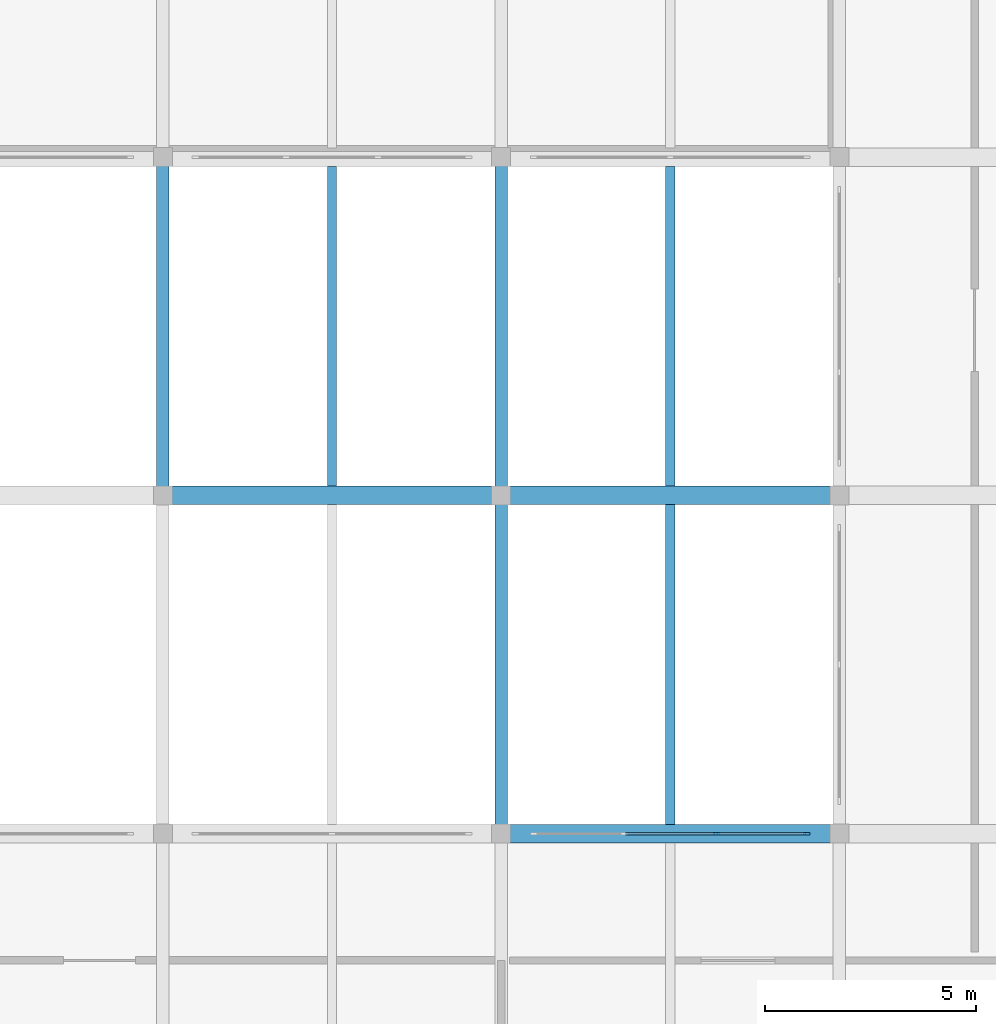
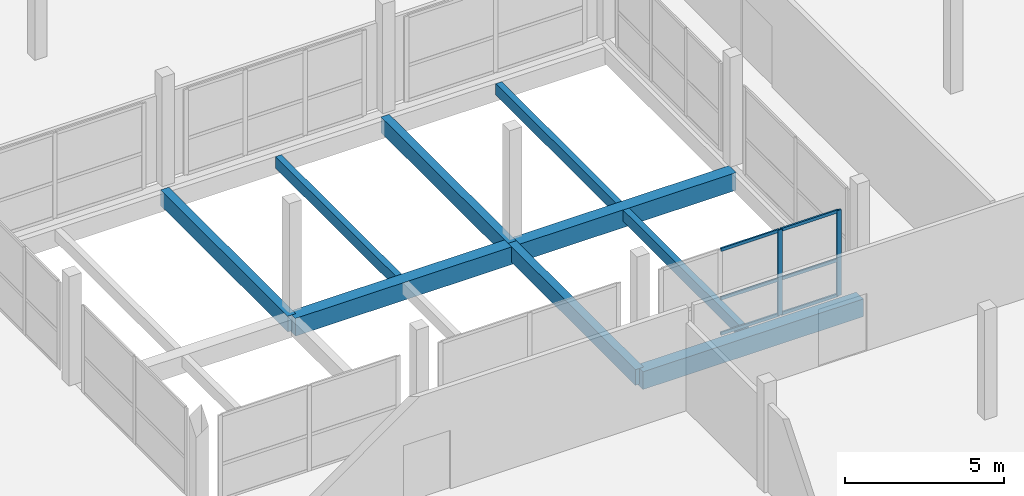
# One storey, part 8 of 53: 9 beams, 8 members, 1 element without a shape of its own.
"""IFC4 building model written with IfcOpenShell, lengths in metres."""

from ifc_helpers import new_model, si_unit, direction, frame, origin, origin_2d, place, context, subcontext, project, spatial, rectangle, extrude, material, material_profile, profile_set, type_object, element, aggregate, save


model = new_model("IFC4")

# Units and contexts
model_context = context("Model", 3, precision=1e-05, world=origin(), true_north=direction((0.0, 1.0)))
body_context = subcontext(model_context, "Body", "Model", "MODEL_VIEW")
ifc_project = project(units=[si_unit("LENGTHUNIT", "METRE"), si_unit("AREAUNIT", "SQUARE_METRE"), si_unit("VOLUMEUNIT", "CUBIC_METRE"), si_unit("PLANEANGLEUNIT", "RADIAN"), si_unit("MASSUNIT", "GRAM", prefix="KILO")], contexts=[model_context])

# Site, building, storey
site_placement = place(None, origin())
site = spatial("IfcSite", under=ifc_project, at=site_placement, CompositionType="ELEMENT")
building_placement = place(site_placement, origin())
building = spatial("IfcBuilding", under=site, at=building_placement, Name="Vharandega Faculty of Natural Sciences", CompositionType="ELEMENT")
storey_placement = place(building_placement, frame((0.0, 0.0, 10.199951171875)))
storey = spatial("IfcBuildingStorey", under=building, at=storey_placement, Name="L02", CompositionType="ELEMENT", Elevation=10.199951171875)

# Curtain wall, members
ifc_material_1 = material(Name="Aluminium and solar-control glass curtain wall", Category="aluminium")
curtain_wall_type = type_object("IfcCurtainWallType", Name="Unitised Curtain Wall System CW-06", PredefinedType="NOTDEFINED", material=ifc_material_1)
curtain_wall_placement = place(storey_placement, origin())
curtain_wall = element("IfcCurtainWall", 1, at=curtain_wall_placement, inside=storey, type_object=curtain_wall_type, Name="Curtain Wall CW-L02-145", PredefinedType="NOTDEFINED")
ifc_material_2 = material(Name="Thermally broken aluminium 6063-T6", Category="aluminium")
ifc_material_profile_1 = material_profile(ifc_material_2, rectangle(XDim=0.06005859375, YDim=0.159912109375, at=origin_2d()), Name="ALU 60x160")
ifc_profile_set_1 = profile_set([ifc_material_profile_1], Name="Thermally broken aluminium 6063-T6")
member_type_1 = type_object("IfcMemberType", Name="CW Mullion 60x160", PredefinedType="MULLION", material=ifc_profile_set_1)
member_1_placement = place(storey_placement, frame((29.086669921875, 16.0, 0.0), z_axis=(0.0, 0.0, 1.0), x_axis=(0.0, 1.0, 0.0)))
member_1 = element("IfcMember", 2, at=member_1_placement, type_object=member_type_1, Name="CW-06 mullion 3", PredefinedType="MULLION", context=body_context, shape_type="SweptSolid", body=[
    extrude(rectangle(XDim=0.06005859375, YDim=0.159912109375, at=origin_2d()), origin(), (0.0, 0.0, 1.0), 3.280029296875),
])
member_2_placement = place(storey_placement, frame((31.22998046875, 16.0, 0.0), z_axis=(0.0, 0.0, 1.0), x_axis=(0.0, 1.0, 0.0)))
member_2 = element("IfcMember", 3, at=member_2_placement, type_object=member_type_1, Name="CW-06 mullion 4", PredefinedType="MULLION", context=body_context, shape_type="SweptSolid", body=[
    extrude(rectangle(XDim=0.06005859375, YDim=0.159912109375, at=origin_2d()), origin(), (0.0, 0.0, 1.0), 3.280029296875),
])
ifc_material_3 = material(Name="Thermally broken aluminium 6063-T6", Category="aluminium")
ifc_material_profile_2 = material_profile(ifc_material_3, rectangle(XDim=0.06005859375, YDim=0.1201171875, at=origin_2d()), Name="ALU 60x120")
ifc_profile_set_2 = profile_set([ifc_material_profile_2], Name="Thermally broken aluminium 6063-T6")
member_type_2 = type_object("IfcMemberType", Name="CW Transom 60x120", PredefinedType="USERDEFINED", material=ifc_profile_set_2)
member_3_placement = place(storey_placement, frame((26.943359375, 16.0, 0.030029296875), z_axis=(1.0, 0.0, 0.0), x_axis=(0.0, 1.0, 0.0)))
member_3 = element("IfcMember", 4, at=member_3_placement, type_object=member_type_2, Name="CW-06 transom 2.1", ObjectType="TRANSOM", PredefinedType="USERDEFINED", context=body_context, shape_type="SweptSolid", body=[
    extrude(rectangle(XDim=0.06005859375, YDim=0.1201171875, at=origin_2d()), origin(), (0.0, 0.0, 1.0), 2.11328125),
])
member_4_placement = place(storey_placement, frame((26.943359375, 16.0, 1.377685546875), z_axis=(1.0, 0.0, 0.0), x_axis=(0.0, 1.0, 0.0)))
member_4 = element("IfcMember", 5, at=member_4_placement, type_object=member_type_2, Name="CW-06 transom 2.2", ObjectType="TRANSOM", PredefinedType="USERDEFINED", context=body_context, shape_type="SweptSolid", body=[
    extrude(rectangle(XDim=0.06005859375, YDim=0.1201171875, at=origin_2d()), origin(), (0.0, 0.0, 1.0), 2.11328125),
])
member_5_placement = place(storey_placement, frame((26.943359375, 16.0, 3.25), z_axis=(1.0, 0.0, 0.0), x_axis=(0.0, 1.0, 0.0)))
member_5 = element("IfcMember", 6, at=member_5_placement, type_object=member_type_2, Name="CW-06 transom 2.3", ObjectType="TRANSOM", PredefinedType="USERDEFINED", context=body_context, shape_type="SweptSolid", body=[
    extrude(rectangle(XDim=0.06005859375, YDim=0.1201171875, at=origin_2d()), origin(), (0.0, 0.0, 1.0), 2.11328125),
])
member_6_placement = place(storey_placement, frame((29.11669921875, 16.0, 0.030029296875), z_axis=(1.0, 0.0, 0.0), x_axis=(0.0, 1.0, 0.0)))
member_6 = element("IfcMember", 7, at=member_6_placement, type_object=member_type_2, Name="CW-06 transom 3.1", ObjectType="TRANSOM", PredefinedType="USERDEFINED", context=body_context, shape_type="SweptSolid", body=[
    extrude(rectangle(XDim=0.06005859375, YDim=0.1201171875, at=origin_2d()), origin(), (0.0, 0.0, 1.0), 2.083251953125),
])
member_7_placement = place(storey_placement, frame((29.11669921875, 16.0, 1.377685546875), z_axis=(1.0, 0.0, 0.0), x_axis=(0.0, 1.0, 0.0)))
member_7 = element("IfcMember", 8, at=member_7_placement, type_object=member_type_2, Name="CW-06 transom 3.2", ObjectType="TRANSOM", PredefinedType="USERDEFINED", context=body_context, shape_type="SweptSolid", body=[
    extrude(rectangle(XDim=0.06005859375, YDim=0.1201171875, at=origin_2d()), origin(), (0.0, 0.0, 1.0), 2.083251953125),
])
member_8_placement = place(storey_placement, frame((29.11669921875, 16.0, 3.25), z_axis=(1.0, 0.0, 0.0), x_axis=(0.0, 1.0, 0.0)))
member_8 = element("IfcMember", 9, at=member_8_placement, type_object=member_type_2, Name="CW-06 transom 3.3", ObjectType="TRANSOM", PredefinedType="USERDEFINED", context=body_context, shape_type="SweptSolid", body=[
    extrude(rectangle(XDim=0.06005859375, YDim=0.1201171875, at=origin_2d()), origin(), (0.0, 0.0, 1.0), 2.083251953125),
])
aggregate(curtain_wall, [member_1, member_2, member_3, member_4, member_5, member_6, member_7, member_8])

# Beams
ifc_material_4 = material(Name="Glulam GL28h", Category="wood")
ifc_material_profile_3 = material_profile(ifc_material_4, rectangle(XDim=0.300048828125, YDim=0.60009765625, at=origin_2d()), Name="GL28h 300x600")
ifc_profile_set_3 = profile_set([ifc_material_profile_3], Name="Glulam GL28h")
beam_type_1 = type_object("IfcBeamType", Name="Glulam Floor Beam 300x600", PredefinedType="BEAM", material=ifc_profile_set_3)
for number, where, z_axis, x_axis, name in (
    (10, (16.0, 24.0, -0.579833984375), (0.0, 1.0, 0.0), (-1.0, 0.0, 0.0), "Beam L02 3/D-E"),
    (11, (24.0, 16.0, -0.579833984375), (0.0, 1.0, 0.0), (-1.0, 0.0, 0.0), "Beam L02 4/C-D"),
    (12, (24.0, 24.0, -0.579833984375), (0.0, 1.0, 0.0), (-1.0, 0.0, 0.0), "Beam L02 4/D-E"),
):
    element("IfcBeam", number, at=place(storey_placement, frame(where, z_axis=z_axis, x_axis=x_axis)), inside=storey, type_object=beam_type_1, Name=name, PredefinedType="BEAM", context=body_context, shape_type="SweptSolid", body=[
        extrude(rectangle(XDim=0.300048828125, YDim=0.60009765625, at=origin_2d()), origin(), (0.0, 0.0, 1.0), 8.0),
    ])
ifc_material_5 = material(Name="Glulam GL32h", Category="wood")
ifc_material_profile_4 = material_profile(ifc_material_5, rectangle(XDim=0.43994140625, YDim=0.679931640625, at=origin_2d()), Name="GL32h 440x680")
ifc_profile_set_4 = profile_set([ifc_material_profile_4], Name="Glulam GL32h")
beam_type_2 = type_object("IfcBeamType", Name="Glulam Girder 440x680", PredefinedType="BEAM", material=ifc_profile_set_4)
for number, where, z_axis, x_axis, name in (
    (13, (24.0, 16.0, -0.619873046875), (1.0, 0.0, 0.0), (0.0, 1.0, 0.0), "Beam L02 C/4-5"),
    (14, (16.0, 24.0, -0.619873046875), (1.0, 0.0, 0.0), (0.0, 1.0, 0.0), "Beam L02 D/3-4"),
    (15, (24.0, 24.0, -0.619873046875), (1.0, 0.0, 0.0), (0.0, 1.0, 0.0), "Beam L02 D/4-5"),
):
    element("IfcBeam", number, at=place(storey_placement, frame(where, z_axis=z_axis, x_axis=x_axis)), inside=storey, type_object=beam_type_2, Name=name, PredefinedType="BEAM", context=body_context, shape_type="SweptSolid", body=[
        extrude(rectangle(XDim=0.43994140625, YDim=0.679931640625, at=origin_2d()), origin(), (0.0, 0.0, 1.0), 8.0),
    ])
ifc_material_6 = material(Name="Glulam GL28h", Category="wood")
ifc_material_profile_5 = material_profile(ifc_material_6, rectangle(XDim=0.219970703125, YDim=0.43994140625, at=origin_2d()), Name="GL28h 220x440")
ifc_profile_set_5 = profile_set([ifc_material_profile_5], Name="Glulam GL28h")
beam_type_3 = type_object("IfcBeamType", Name="Glulam Secondary Joist 220x440", PredefinedType="JOIST", material=ifc_profile_set_5)
for number, where, z_axis, x_axis, name in (
    (16, (20.0, 24.219970703125, -0.5), (0.0, 1.0, 0.0), (-1.0, 0.0, 0.0), "Secondary Joist L02 3-4/D-E"),
    (17, (28.0, 16.219970703125, -0.5), (0.0, 1.0, 0.0), (-1.0, 0.0, 0.0), "Secondary Joist L02 4-5/C-D"),
    (18, (28.0, 24.219970703125, -0.5), (0.0, 1.0, 0.0), (-1.0, 0.0, 0.0), "Secondary Joist L02 4-5/D-E"),
):
    element("IfcBeam", number, at=place(storey_placement, frame(where, z_axis=z_axis, x_axis=x_axis)), inside=storey, type_object=beam_type_3, Name=name, PredefinedType="JOIST", context=body_context, shape_type="SweptSolid", body=[
        extrude(rectangle(XDim=0.219970703125, YDim=0.43994140625, at=origin_2d()), origin(), (0.0, 0.0, 1.0), 7.56005859375),
    ])

save(model, "model.ifc")
